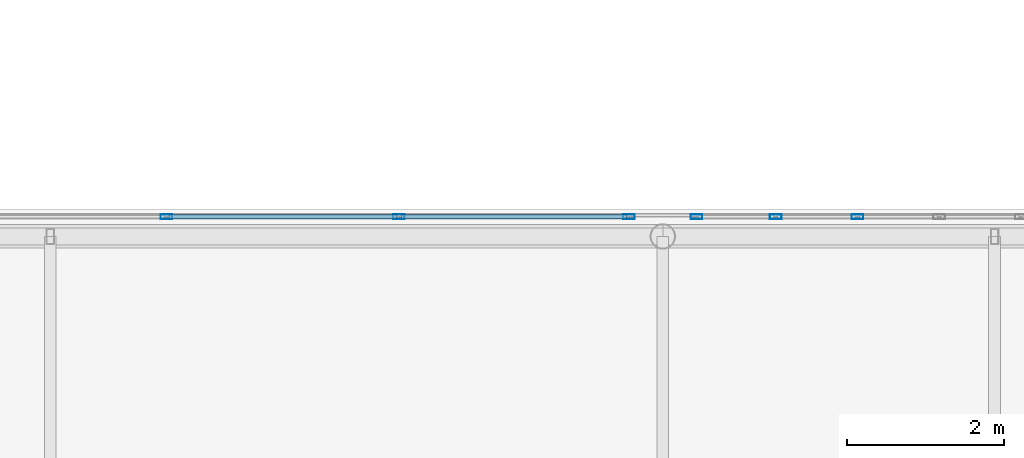
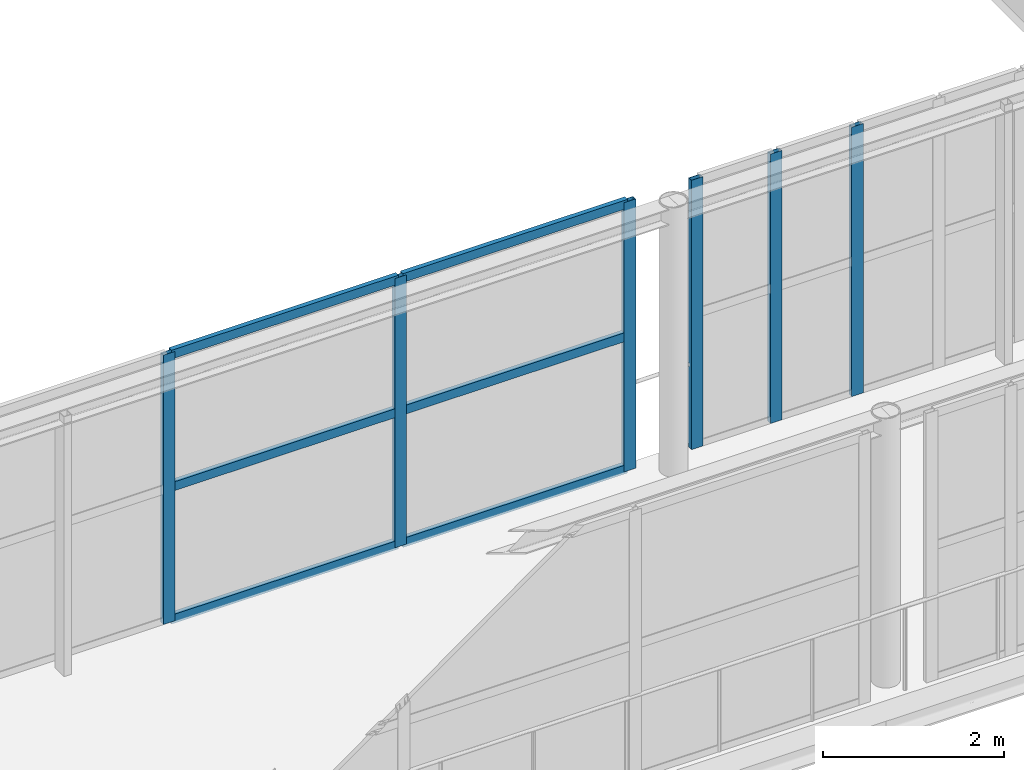
# One storey, part 82 of 175: 12 members, 2 elements without a shape of their own.
"""IFC4 building model written with IfcOpenShell, lengths in metres."""

from ifc_helpers import new_model, si_unit, direction, frame, origin, origin_2d, place, context, subcontext, project, spatial, hollow_rectangle, extrude, material, layer, layer_set, material_profile, profile_set, type_object, element, aggregate, save


model = new_model("IFC4")

# Units and contexts
model_context = context("Model", 3, precision=1e-05, world=origin(), true_north=direction((0.0, 1.0)))
body_context = subcontext(model_context, "Body", "Model", "MODEL_VIEW")
ifc_project = project(units=[si_unit("LENGTHUNIT", "METRE"), si_unit("AREAUNIT", "SQUARE_METRE"), si_unit("VOLUMEUNIT", "CUBIC_METRE"), si_unit("PLANEANGLEUNIT", "RADIAN"), si_unit("MASSUNIT", "GRAM", prefix="KILO")], contexts=[model_context])

# Site, building, storey
site_placement = place(None, origin())
site = spatial("IfcSite", under=ifc_project, at=site_placement, CompositionType="ELEMENT")
building_placement = place(site_placement, origin())
building = spatial("IfcBuilding", under=site, at=building_placement, Name="Zizhar Promenade General Hospital", CompositionType="ELEMENT")
storey_placement = place(building_placement, frame((0.0, 0.0, 4.800048828125)))
storey = spatial("IfcBuildingStorey", under=building, at=storey_placement, Name="L01", CompositionType="ELEMENT", Elevation=4.800048828125)

# Curtain wall, members
ifc_material_1 = material(Name="Anodised aluminium 6063-T6 and low-E glass", Category="aluminium")
ifc_layer = layer(ifc_material_1, 0.159912109375)
ifc_layer_set = layer_set([ifc_layer], Name="Anodised aluminium 6063-T6 and low-E glass")
curtain_wall_type = type_object("IfcCurtainWallType", Name="CW-SKY-GLZ", PredefinedType="NOTDEFINED", material=ifc_layer_set)
curtain_wall_1_placement = place(storey_placement, origin())
curtain_wall_1 = element("IfcCurtainWall", 1, at=curtain_wall_1_placement, inside=storey, type_object=curtain_wall_type, Name="Courtyard Clinical Skybridge Level L01 North Glazing 3", PredefinedType="NOTDEFINED")
ifc_material_2 = material(Name="Anodised aluminium 6063-T6", Category="aluminium")
ifc_material_profile_1 = material_profile(ifc_material_2, hollow_rectangle(XDim=0.06005859375, YDim=0.14990234375, WallThickness=0.00390625, at=origin_2d()))
ifc_profile_set_1 = profile_set([ifc_material_profile_1], Name="Anodised aluminium 6063-T6")
member_type_1 = type_object("IfcMemberType", Name="CWM-ALU-150x60", PredefinedType="MULLION", material=ifc_profile_set_1)
member_1_placement = place(storey_placement, frame((110.679931640625, 65.89990234375, 0.0), z_axis=(0.0, 0.0, 1.0), x_axis=(0.0, 1.0, 0.0)))
member_1 = element("IfcMember", 2, at=member_1_placement, type_object=member_type_1, Name="CW-15 mullion 4", PredefinedType="MULLION", context=body_context, shape_type="SweptSolid", body=[
    extrude(hollow_rectangle(XDim=0.06005859375, YDim=0.14990234375, WallThickness=0.00390625, at=origin_2d()), origin(), (0.0, 0.0, 1.0), 3.639892578125),
])
member_2_placement = place(storey_placement, frame((113.639892578125, 65.89990234375, 0.0), z_axis=(0.0, 0.0, 1.0), x_axis=(0.0, 1.0, 0.0)))
member_2 = element("IfcMember", 3, at=member_2_placement, type_object=member_type_1, Name="CW-15 mullion 5", PredefinedType="MULLION", context=body_context, shape_type="SweptSolid", body=[
    extrude(hollow_rectangle(XDim=0.06005859375, YDim=0.14990234375, WallThickness=0.00390625, at=origin_2d()), origin(), (0.0, 0.0, 1.0), 3.639892578125),
])
member_3_placement = place(storey_placement, frame((116.570068359375, 65.89990234375, 0.0), z_axis=(0.0, 0.0, 1.0), x_axis=(0.0, 1.0, 0.0)))
member_3 = element("IfcMember", 4, at=member_3_placement, type_object=member_type_1, Name="CW-15 mullion 6", PredefinedType="MULLION", context=body_context, shape_type="SweptSolid", body=[
    extrude(hollow_rectangle(XDim=0.06005859375, YDim=0.14990234375, WallThickness=0.00390625, at=origin_2d()), origin(), (0.0, 0.0, 1.0), 3.639892578125),
])

curtain_wall_2_placement = place(storey_placement, origin())
curtain_wall_2 = element("IfcCurtainWall", 5, at=curtain_wall_2_placement, inside=storey, type_object=curtain_wall_type, Name="Courtyard Clinical Skybridge Level L01 North Glazing 4", PredefinedType="NOTDEFINED")
member_4_placement = place(storey_placement, frame((117.429931640625, 65.89990234375, 0.0), z_axis=(0.0, 0.0, 1.0), x_axis=(0.0, 1.0, 0.0)))
member_4 = element("IfcMember", 6, at=member_4_placement, type_object=member_type_1, Name="CW-15 mullion 1", PredefinedType="MULLION", context=body_context, shape_type="SweptSolid", body=[
    extrude(hollow_rectangle(XDim=0.06005859375, YDim=0.14990234375, WallThickness=0.00390625, at=origin_2d()), origin(), (0.0, 0.0, 1.0), 3.639892578125),
])
member_5_placement = place(storey_placement, frame((118.43994140625, 65.89990234375, 0.0), z_axis=(0.0, 0.0, 1.0), x_axis=(0.0, 1.0, 0.0)))
member_5 = element("IfcMember", 7, at=member_5_placement, type_object=member_type_1, Name="CW-15 mullion 2", PredefinedType="MULLION", context=body_context, shape_type="SweptSolid", body=[
    extrude(hollow_rectangle(XDim=0.06005859375, YDim=0.14990234375, WallThickness=0.00390625, at=origin_2d()), origin(), (0.0, 0.0, 1.0), 3.639892578125),
])
member_6_placement = place(storey_placement, frame((119.47998046875, 65.89990234375, 0.0), z_axis=(0.0, 0.0, 1.0), x_axis=(0.0, 1.0, 0.0)))
member_6 = element("IfcMember", 8, at=member_6_placement, type_object=member_type_1, Name="CW-15 mullion 3", PredefinedType="MULLION", context=body_context, shape_type="SweptSolid", body=[
    extrude(hollow_rectangle(XDim=0.06005859375, YDim=0.14990234375, WallThickness=0.00390625, at=origin_2d()), origin(), (0.0, 0.0, 1.0), 3.639892578125),
])
aggregate(curtain_wall_2, [member_4, member_5, member_6])

# Member
ifc_material_3 = material(Name="Anodised aluminium 6063-T6", Category="aluminium")
ifc_material_profile_2 = material_profile(ifc_material_3, hollow_rectangle(XDim=0.06005859375, YDim=0.1201171875, WallThickness=0.00390625, at=origin_2d()))
ifc_profile_set_2 = profile_set([ifc_material_profile_2], Name="Anodised aluminium 6063-T6")
member_type_2 = type_object("IfcMemberType", Name="CWT-ALU-120x60", PredefinedType="USERDEFINED", material=ifc_profile_set_2)
member_7_placement = place(storey_placement, frame((110.7099609375, 65.89990234375, 0.030029296875), z_axis=(1.0, 0.0, 0.0), x_axis=(0.0, 1.0, 0.0)))
member_7 = element("IfcMember", 9, at=member_7_placement, type_object=member_type_2, Name="CW-15 transom 4.1", ObjectType="TRANSOM", PredefinedType="USERDEFINED", context=body_context, shape_type="SweptSolid", body=[
    extrude(hollow_rectangle(XDim=0.06005859375, YDim=0.1201171875, WallThickness=0.00390625, at=origin_2d()), origin(), (0.0, 0.0, 1.0), 2.900146484375),
])

member_8_placement = place(storey_placement, frame((110.7099609375, 65.89990234375, 1.820068359375), z_axis=(1.0, 0.0, 0.0), x_axis=(0.0, 1.0, 0.0)))
member_8 = element("IfcMember", 10, at=member_8_placement, type_object=member_type_2, Name="CW-15 transom 4.2", ObjectType="TRANSOM", PredefinedType="USERDEFINED", context=body_context, shape_type="SweptSolid", body=[
    extrude(hollow_rectangle(XDim=0.06005859375, YDim=0.1201171875, WallThickness=0.00390625, at=origin_2d()), origin(), (0.0, 0.0, 1.0), 2.900146484375),
])

member_9_placement = place(storey_placement, frame((110.7099609375, 65.89990234375, 3.60986328125), z_axis=(1.0, 0.0, 0.0), x_axis=(0.0, 1.0, 0.0)))
member_9 = element("IfcMember", 11, at=member_9_placement, type_object=member_type_2, Name="CW-15 transom 4.3", ObjectType="TRANSOM", PredefinedType="USERDEFINED", context=body_context, shape_type="SweptSolid", body=[
    extrude(hollow_rectangle(XDim=0.06005859375, YDim=0.1201171875, WallThickness=0.00390625, at=origin_2d()), origin(), (0.0, 0.0, 1.0), 2.900146484375),
])

member_10_placement = place(storey_placement, frame((113.669921875, 65.89990234375, 0.030029296875), z_axis=(1.0, 0.0, 0.0), x_axis=(0.0, 1.0, 0.0)))
member_10 = element("IfcMember", 12, at=member_10_placement, type_object=member_type_2, Name="CW-15 transom 5.1", ObjectType="TRANSOM", PredefinedType="USERDEFINED", context=body_context, shape_type="SweptSolid", body=[
    extrude(hollow_rectangle(XDim=0.06005859375, YDim=0.1201171875, WallThickness=0.00390625, at=origin_2d()), origin(), (0.0, 0.0, 1.0), 2.8701171875),
])

member_11_placement = place(storey_placement, frame((113.669921875, 65.89990234375, 1.820068359375), z_axis=(1.0, 0.0, 0.0), x_axis=(0.0, 1.0, 0.0)))
member_11 = element("IfcMember", 13, at=member_11_placement, type_object=member_type_2, Name="CW-15 transom 5.2", ObjectType="TRANSOM", PredefinedType="USERDEFINED", context=body_context, shape_type="SweptSolid", body=[
    extrude(hollow_rectangle(XDim=0.06005859375, YDim=0.1201171875, WallThickness=0.00390625, at=origin_2d()), origin(), (0.0, 0.0, 1.0), 2.8701171875),
])

member_12_placement = place(storey_placement, frame((113.669921875, 65.89990234375, 3.60986328125), z_axis=(1.0, 0.0, 0.0), x_axis=(0.0, 1.0, 0.0)))
member_12 = element("IfcMember", 14, at=member_12_placement, type_object=member_type_2, Name="CW-15 transom 5.3", ObjectType="TRANSOM", PredefinedType="USERDEFINED", context=body_context, shape_type="SweptSolid", body=[
    extrude(hollow_rectangle(XDim=0.06005859375, YDim=0.1201171875, WallThickness=0.00390625, at=origin_2d()), origin(), (0.0, 0.0, 1.0), 2.8701171875),
])

aggregate(curtain_wall_1, [member_1, member_2, member_3, member_7, member_8, member_9, member_10, member_11, member_12])

save(model, "model.ifc")
